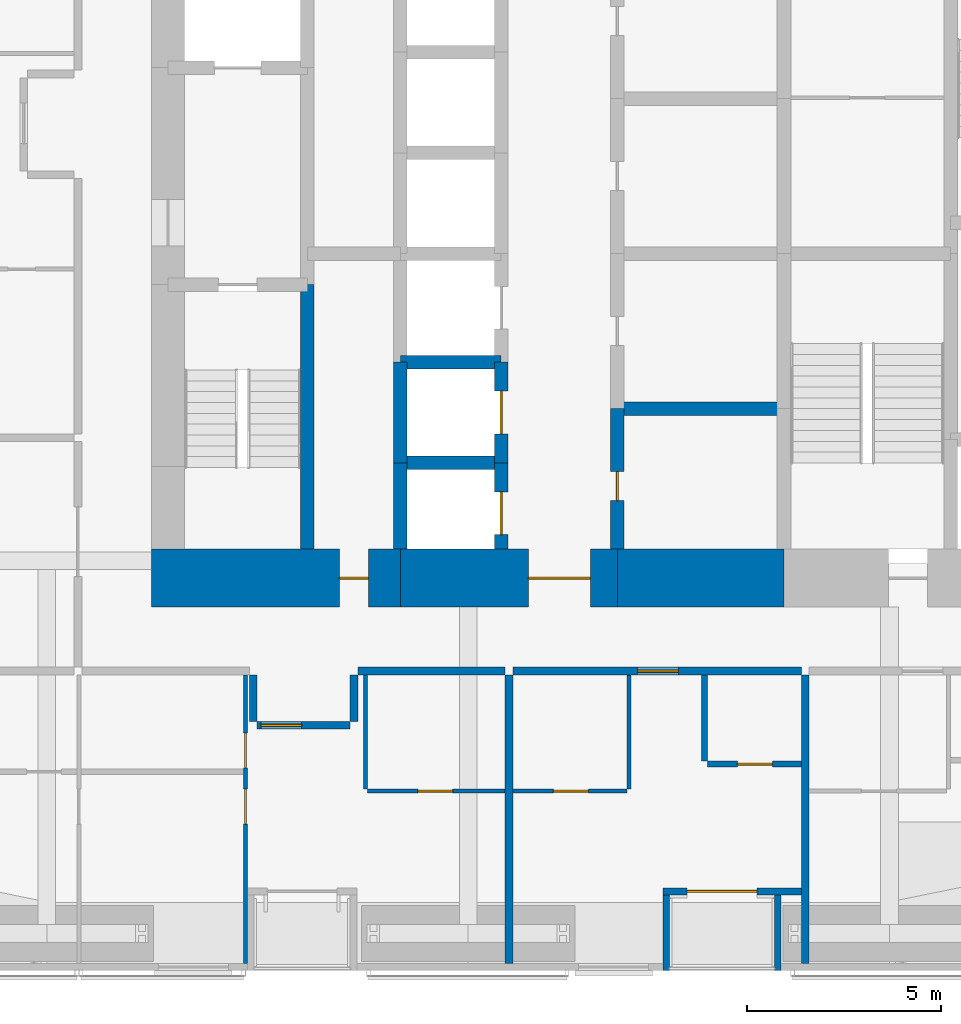
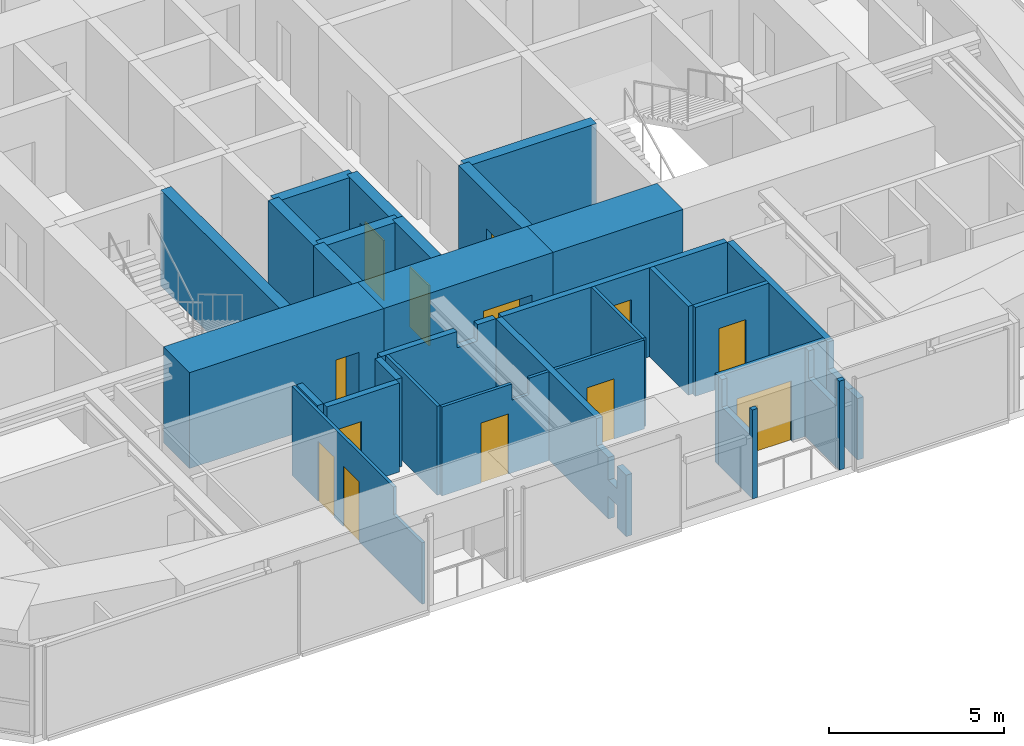
# One storey, part 18 of 25: 29 walls, 13 doors, 13 openings.
"""IFC4 building model written with IfcOpenShell, lengths in metres."""

import ifcopenshell
import ifcopenshell.guid

model = None  # the IFC model being written
_history = None  # IfcOwnerHistory: only IFC2X3 demands one
_inside = {}  # id of a spatial element -> (the spatial element, [elements in it])
_under = {}  # id of a project, library or spatial element -> (it, [spatial elements below it])
_declared = {}  # id of a project -> (the project, [libraries it declares])
_typed = {}  # id of a type object -> (the type object, [elements of that type])
_made_of = {}  # id of a material, layer set ... -> (it, [elements and type objects made of it])


def new_model(schema):
    """Start an empty IFC model of exactly this schema.

    Asked for "IFC4X3", IfcOpenShell would pick the latest addendum, in which some entities
    have other attributes; the version numbers below select the first issue.
    IFC2X3 requires an IfcOwnerHistory on every rooted entity: one is made here for all.
    """
    global model, _history
    if schema == "IFC4X3":
        model = ifcopenshell.file(schema_version=(4, 3, 0, 0))
    else:
        model = ifcopenshell.file(schema=schema)
    _inside.clear()
    _under.clear()
    _declared.clear()
    _typed.clear()
    _made_of.clear()
    _history = None
    if model.schema == "IFC2X3":
        org = make("IfcOrganization", Name="unknown")
        user = make(
            "IfcPersonAndOrganization",
            ThePerson=make("IfcPerson", FamilyName="unknown"),
            TheOrganization=org,
        )
        app = make(
            "IfcApplication",
            ApplicationDeveloper=org,
            Version="unknown",
            ApplicationFullName="unknown",
            ApplicationIdentifier="unknown",
        )
        _history = make(
            "IfcOwnerHistory",
            OwningUser=user,
            OwningApplication=app,
            ChangeAction="ADDED",
            CreationDate=0,
        )
    return model


def make(cls, **values):
    """One entity of the class cls with the attributes given. An attribute that is None is left unset."""
    return model.create_entity(
        cls, **{name: value for name, value in values.items() if value is not None}
    )


def rooted(cls, **values):
    """An entity with a GlobalId (a new one), such as an element, a storey or a relation."""
    return make(cls, GlobalId=ifcopenshell.guid.new(), OwnerHistory=_history, **values)


def si_unit(unit_type, name, prefix=None):
    """IfcSIUnit, for example si_unit("LENGTHUNIT", "METRE", prefix="MILLI")."""
    return make("IfcSIUnit", UnitType=unit_type, Prefix=prefix, Name=name)


def assignment(units):
    """IfcUnitAssignment: the units of a project."""
    return None if units is None else make("IfcUnitAssignment", Units=units)


def point(xyz):
    """IfcCartesianPoint."""
    return None if xyz is None else make("IfcCartesianPoint", Coordinates=xyz)


def direction(xyz):
    """IfcDirection."""
    return None if xyz is None else make("IfcDirection", DirectionRatios=xyz)


def frame(location, z_axis=None, x_axis=None):
    """IfcAxis2Placement3D, a coordinate frame: its origin and axes. An axis left out is left unset."""
    return make(
        "IfcAxis2Placement3D",
        Location=point(location),
        Axis=direction(z_axis),
        RefDirection=direction(x_axis),
    )


def frame_2d(location, x_axis=None):
    """IfcAxis2Placement2D, a coordinate frame in the plane: its origin and x axis."""
    return make(
        "IfcAxis2Placement2D", Location=point(location), RefDirection=direction(x_axis)
    )


def origin():
    """The frame at (0, 0, 0) with its axes left unset."""
    return frame((0.0, 0.0, 0.0))


def place(relative_to, where):
    """IfcLocalPlacement: puts the frame where relative to a parent placement (None: the world)."""
    return make(
        "IfcLocalPlacement", PlacementRelTo=relative_to, RelativePlacement=where
    )


def context(
    kind, dimensions, precision=None, world=None, true_north=None, identifier=None
):
    """IfcGeometricRepresentationContext, for example the 3D "Model" context."""
    return make(
        "IfcGeometricRepresentationContext",
        ContextIdentifier=identifier,
        ContextType=kind,
        CoordinateSpaceDimension=dimensions,
        Precision=precision,
        WorldCoordinateSystem=world,
        TrueNorth=true_north,
    )


def subcontext(parent, identifier, kind, view, scale=None):
    """IfcGeometricRepresentationSubContext, for example "Body" below "Model"."""
    return make(
        "IfcGeometricRepresentationSubContext",
        ContextIdentifier=identifier,
        ContextType=kind,
        ParentContext=parent,
        TargetScale=scale,
        TargetView=view,
    )


def project(units=None, contexts=None):
    """IfcProject with its units and contexts."""
    return rooted(
        "IfcProject",
        Name="project",
        RepresentationContexts=contexts,
        UnitsInContext=assignment(units),
    )


def spatial(cls, under=None, at=None, **own):
    """A site, building, storey or space (cls), placed at a placement, below another one or the project."""
    s = rooted(cls, ObjectPlacement=at, **own)
    if under is not None:
        _under.setdefault(under.id(), (under, []))[1].append(s)
    return s


def polyline(points):
    """IfcPolyline through the points."""
    return make("IfcPolyline", Points=[point(p) for p in points])


def profile(cls, at=None, kind="AREA", **sizes):
    """A parametric profile (cls). Its sizes go by their IFC names, for example OverallWidth=200.0."""
    return make(cls, ProfileType=kind, Position=at, **sizes)


def rectangle(**sizes):
    """IfcRectangleProfileDef."""
    return profile("IfcRectangleProfileDef", **sizes)


def outline(outer, holes=None, kind="AREA"):
    """IfcArbitraryClosedProfileDef: a profile drawn as a closed curve; with holes, ...WithVoids."""
    if holes is None:
        return make("IfcArbitraryClosedProfileDef", ProfileType=kind, OuterCurve=outer)
    return make(
        "IfcArbitraryProfileDefWithVoids",
        ProfileType=kind,
        OuterCurve=outer,
        InnerCurves=holes,
    )


def extrude(swept, where, along, depth):
    """IfcExtrudedAreaSolid: the profile swept, set in the frame where, extruded along a direction by depth."""
    return make(
        "IfcExtrudedAreaSolid",
        SweptArea=swept,
        Position=where,
        ExtrudedDirection=direction(along),
        Depth=depth,
    )


def shape(context_of_items, identifier, shape_type, items):
    """IfcShapeRepresentation: the items that make up one representation, for example the "Body"."""
    return make(
        "IfcShapeRepresentation",
        ContextOfItems=context_of_items,
        RepresentationIdentifier=identifier,
        RepresentationType=shape_type,
        Items=items,
    )


def material(Name=None, Category=None):
    """IfcMaterial."""
    return make("IfcMaterial", Name=Name, Category=Category)


def layer(
    of_material, thickness, ventilated=None, Name=None, Category=None, Priority=None
):
    """IfcMaterialLayer: one layer of a wall or slab, of a material (None: an air gap)."""
    return make(
        "IfcMaterialLayer",
        Material=of_material,
        LayerThickness=thickness,
        IsVentilated=ventilated,
        Name=Name,
        Category=Category,
        Priority=Priority,
    )


def layer_set(layers, Name=None):
    """IfcMaterialLayerSet."""
    return make("IfcMaterialLayerSet", MaterialLayers=layers, LayerSetName=Name)


def constituent(of_material, Name=None, Category=None, fraction=None):
    """IfcMaterialConstituent: one of the materials an element consists of."""
    return make(
        "IfcMaterialConstituent",
        Name=Name,
        Material=of_material,
        Fraction=fraction,
        Category=Category,
    )


def constituent_set(constituents=None, Name=None):
    """IfcMaterialConstituentSet."""
    return make(
        "IfcMaterialConstituentSet", Name=Name, MaterialConstituents=constituents
    )


def made_of(thing, what):
    """Note that an element or type object is made of a material, layer set ...; save() writes the relation."""
    if what is not None:
        _made_of.setdefault(what.id(), (what, []))[1].append(thing)
    return thing


def type_object(cls, material=None, **own):
    """A type object (cls), such as IfcWallType, which elements share."""
    return made_of(rooted(cls, **own), material)


def element(
    cls,
    number,
    at=None,
    inside=None,
    cuts=None,
    type_object=None,
    material=None,
    context=None,
    identifier="Body",
    shape_type=None,
    held_by="IfcProductDefinitionShape",
    body=None,
    shapes=None,
    **own,
):
    """One element of the class cls, such as IfcWall. Its Tag is "e" and its number.

    at: its placement. inside: the storey or other place that contains it. cuts: it is an
    opening in that element (IfcRelVoidsElement). A single representation is given by context,
    identifier, shape_type and body (its items); several are given by shapes. held_by: the class
    of the entity that holds the representations. save() writes the other relations.
    """
    e = rooted(cls, Tag="e%d" % number, ObjectPlacement=at, **own)
    if body is not None:
        shapes = [shape(context, identifier, shape_type, body)]
    if shapes is not None:
        e.Representation = make(held_by, Representations=shapes)
    if inside is not None:
        _inside.setdefault(inside.id(), (inside, []))[1].append(e)
    if cuts is not None:
        rooted(
            "IfcRelVoidsElement", RelatingBuildingElement=cuts, RelatedOpeningElement=e
        )
    if type_object is not None:
        _typed.setdefault(type_object.id(), (type_object, []))[1].append(e)
    return made_of(e, material)


def fill(opening, filler):
    """IfcRelFillsElement: the door or window that sits in an opening."""
    return rooted(
        "IfcRelFillsElement",
        RelatingOpeningElement=opening,
        RelatedBuildingElement=filler,
    )


def aggregate(whole, parts):
    """IfcRelAggregates: a whole, such as a stair, and the parts it consists of."""
    return rooted("IfcRelAggregates", RelatingObject=whole, RelatedObjects=parts)


def save(model, path):
    """Write the relations noted so far, then the file.

    IfcRelAggregates (storeys below a building ...), IfcRelContainedInSpatialStructure (elements
    in a storey), IfcRelDefinesByType, IfcRelAssociatesMaterial and IfcRelDeclares: one each for
    every whole, place, type object, material and project.
    """
    for whole, parts in _under.values():
        aggregate(whole, parts)
    for where, things in _inside.values():
        rooted(
            "IfcRelContainedInSpatialStructure",
            RelatedElements=things,
            RelatingStructure=where,
        )
    for kind, things in _typed.values():
        rooted("IfcRelDefinesByType", RelatedObjects=things, RelatingType=kind)
    for what, things in _made_of.values():
        rooted("IfcRelAssociatesMaterial", RelatedObjects=things, RelatingMaterial=what)
    for by, libraries in _declared.values():
        rooted("IfcRelDeclares", RelatingContext=by, RelatedDefinitions=libraries)
    model.write(path)


model = new_model("IFC4")

# Units and contexts
model_context = context("Model", 3, precision=1e-05, world=origin(), true_north=direction((0.0, 1.0)))
body_context = subcontext(model_context, "Body", "Model", "MODEL_VIEW")
ifc_project = project(units=[si_unit("LENGTHUNIT", "METRE"), si_unit("AREAUNIT", "SQUARE_METRE"), si_unit("VOLUMEUNIT", "CUBIC_METRE"), si_unit("PLANEANGLEUNIT", "RADIAN"), si_unit("MASSUNIT", "GRAM", prefix="KILO")], contexts=[model_context])

# Site, building, storey
site_placement = place(None, origin())
site = spatial("IfcSite", under=ifc_project, at=site_placement, CompositionType="ELEMENT")
building_placement = place(site_placement, origin())
building = spatial("IfcBuilding", under=site, at=building_placement, Name="Jalousie Tower", CompositionType="ELEMENT")
storey_placement = place(building_placement, frame((0.0, 0.0, 98.14990234375)))
storey = spatial("IfcBuildingStorey", under=building, at=storey_placement, Name="L26", CompositionType="ELEMENT", Elevation=98.14990234375)

# Wall, opening, door
ifc_material_1 = material(Name="Concrete block ASTM C90", Category="concrete")
ifc_constituent_1 = constituent(ifc_material_1, Name="Body")
ifc_material_2 = material(Name="Render")
ifc_constituent_2 = constituent(ifc_material_2, Name="Finish")
ifc_constituent_set_1 = constituent_set(constituents=[ifc_constituent_1, ifc_constituent_2])
wall_type_1 = type_object("IfcWallType", Name="BATHROOM WALL 150", PredefinedType="PLUMBINGWALL", material=ifc_constituent_set_1)
wall_1_placement = place(storey_placement, frame((33.925048828125, 5.324951171875, 0.0), z_axis=(0.0, 0.0, 1.0), x_axis=(1.0, 0.0, 0.0)))
wall_1 = element("IfcWall", 1, at=wall_1_placement, inside=storey, type_object=wall_type_1, Name="Bathroom Wall 150 L26", PredefinedType="PLUMBINGWALL", context=body_context, shape_type="SweptSolid", body=[
    extrude(rectangle(XDim=2.425048828125, YDim=0.14990234375, at=frame_2d((1.21240234375, 0.0))), origin(), (0.0, 0.0, 1.0), 3.110107421875),
])
opening_1_placement = place(wall_1_placement, frame((0.77490234375, 0.0, 0.0)))
opening_1 = element("IfcOpeningElement", 2, at=opening_1_placement, cuts=wall_1, Name="Opening D3", PredefinedType="OPENING", context=body_context, shape_type="SweptSolid", body=[
    extrude(rectangle(XDim=0.89990234375, YDim=2.10009765625, at=frame_2d((0.449951171875, 1.050048828125))), frame((0.0, 0.0849609375, 0.0), z_axis=(0.0, -1.0, 0.0), x_axis=(1.0, 0.0, 0.0)), (0.0, 0.0, 1.0), 0.169921875),
])
ifc_material_3 = material(Name="Timber door", Category="wood")
door_type_1 = type_object("IfcDoorType", Name="BATHROOM DOOR 900", OperationType="SINGLE_SWING_LEFT", PredefinedType="DOOR", material=ifc_material_3)
door_1_placement = place(opening_1_placement, origin())
door_1 = element("IfcDoor", 3, at=door_1_placement, inside=storey, type_object=door_type_1, Name="Apartment 2602 bathroom door", OperationType="SINGLE_SWING_RIGHT", OverallHeight=2.10009765625, OverallWidth=0.89990234375, PredefinedType="DOOR", context=body_context, shape_type="SweptSolid", body=[
    extrude(rectangle(XDim=0.89990234375, YDim=2.10009765625, at=frame_2d((0.449951171875, 1.050048828125))), frame((0.0, 0.02490234375, 0.0), z_axis=(0.0, -1.0, 0.0), x_axis=(1.0, 0.0, 0.0)), (0.0, 0.0, 1.0), 0.050048828125),
])
fill(opening_1, door_1)

# Wall
wall_2_placement = place(storey_placement, frame((33.85009765625, 5.39990234375, 0.0), z_axis=(0.0, 0.0, 1.0), x_axis=(0.0, 1.0, 0.0)))
element("IfcWall", 4, at=wall_2_placement, inside=storey, type_object=wall_type_1, Name="Bathroom Wall 150 L26", PredefinedType="PLUMBINGWALL", context=body_context, shape_type="SweptSolid", body=[
    extrude(rectangle(XDim=2.22509765625, YDim=0.14990234375, at=frame_2d((1.112548828125, 0.0))), origin(), (0.0, 0.0, 1.0), 3.110107421875),
])

# Wall, opening, door
ifc_material_4 = material(Name="Concrete f'c 120 MPa", Category="concrete")
ifc_layer_1 = layer(ifc_material_4, 1.5)
ifc_layer_set_1 = layer_set([ifc_layer_1], Name="Concrete f'c 120 MPa")
wall_type_2 = type_object("IfcWallType", Name="CORE WALL 1500", PredefinedType="SHEAR", material=ifc_layer_set_1)
wall_3_placement = place(storey_placement, frame((19.574951171875, 10.125, 0.0), z_axis=(0.0, 0.0, 1.0), x_axis=(1.0, 0.0, 0.0)))
wall_3 = element("IfcWall", 5, at=wall_3_placement, inside=storey, type_object=wall_type_2, Name="Core wall SA L26", PredefinedType="SHEAR", context=body_context, shape_type="SweptSolid", body=[
    extrude(rectangle(XDim=6.425048828125, YDim=1.5, at=frame_2d((3.21240234375, 0.0))), origin(), (0.0, 0.0, 1.0), 3.35009765625),
])
opening_2_placement = place(wall_3_placement, frame((4.85009765625, 0.0, 0.0)))
opening_2 = element("IfcOpeningElement", 6, at=opening_2_placement, cuts=wall_3, Name="Opening D16", PredefinedType="OPENING", context=body_context, shape_type="SweptSolid", body=[
    extrude(rectangle(XDim=0.75, YDim=2.10009765625, at=frame_2d((0.375, 1.050048828125))), frame((0.0, 0.760009765625, 0.0), z_axis=(0.0, -1.0, 0.0), x_axis=(1.0, 0.0, 0.0)), (0.0, 0.0, 1.0), 1.52001953125),
])
ifc_material_5 = material(Name="Steel fire door", Category="steel")
door_type_2 = type_object("IfcDoorType", Name="RISER DOOR 750", OperationType="SINGLE_SWING_LEFT", PredefinedType="DOOR", material=ifc_material_5)
door_2_placement = place(opening_2_placement, origin())
door_2 = element("IfcDoor", 7, at=door_2_placement, inside=storey, type_object=door_type_2, Name="South riser door", OperationType="SINGLE_SWING_LEFT", OverallHeight=2.10009765625, OverallWidth=0.75, PredefinedType="DOOR", context=body_context, shape_type="SweptSolid", body=[
    extrude(rectangle(XDim=0.75, YDim=2.10009765625, at=frame_2d((0.375, 1.050048828125))), frame((0.0, 0.02490234375, 0.0), z_axis=(0.0, -1.0, 0.0), x_axis=(1.0, 0.0, 0.0)), (0.0, 0.0, 1.0), 0.050048828125),
])
fill(opening_2, door_2)

wall_4_placement = place(storey_placement, frame((26.0, 10.125, 0.0), z_axis=(0.0, 0.0, 1.0), x_axis=(1.0, 0.0, 0.0)))
wall_4 = element("IfcWall", 8, at=wall_4_placement, inside=storey, type_object=wall_type_2, Name="Core wall SB L26", PredefinedType="SHEAR", context=body_context, shape_type="SweptSolid", body=[
    extrude(rectangle(XDim=5.60009765625, YDim=1.5, at=frame_2d((2.800048828125, 0.0))), origin(), (0.0, 0.0, 1.0), 3.35009765625),
])
opening_3_placement = place(wall_4_placement, frame((3.300048828125, 0.0, 0.0)))
opening_3 = element("IfcOpeningElement", 9, at=opening_3_placement, cuts=wall_4, Name="Opening D15", PredefinedType="OPENING", context=body_context, shape_type="SweptSolid", body=[
    extrude(rectangle(XDim=1.60009765625, YDim=2.10009765625, at=frame_2d((0.800048828125, 1.050048828125))), frame((0.0, 0.760009765625, 0.0), z_axis=(0.0, -1.0, 0.0), x_axis=(1.0, 0.0, 0.0)), (0.0, 0.0, 1.0), 1.52001953125),
])
ifc_material_6 = material(Name="Steel fire door", Category="steel")
door_type_3 = type_object("IfcDoorType", Name="LIFT LOBBY DOOR 1600", OperationType="DOUBLE_DOOR_SINGLE_SWING", PredefinedType="DOOR", material=ifc_material_6)
door_3_placement = place(opening_3_placement, origin())
door_3 = element("IfcDoor", 10, at=door_3_placement, inside=storey, type_object=door_type_3, Name="Lift lobby south door", OperationType="DOUBLE_DOOR_SINGLE_SWING", OverallHeight=2.10009765625, OverallWidth=1.60009765625, PredefinedType="DOOR", context=body_context, shape_type="SweptSolid", body=[
    extrude(rectangle(XDim=1.60009765625, YDim=2.10009765625, at=frame_2d((0.800048828125, 1.050048828125))), frame((0.0, 0.02490234375, 0.0), z_axis=(0.0, -1.0, 0.0), x_axis=(1.0, 0.0, 0.0)), (0.0, 0.0, 1.0), 0.050048828125),
])
fill(opening_3, door_3)

# Walls
wall_5_placement = place(storey_placement, frame((31.60009765625, 10.125, 0.0), z_axis=(0.0, 0.0, 1.0), x_axis=(1.0, 0.0, 0.0)))
element("IfcWall", 11, at=wall_5_placement, inside=storey, type_object=wall_type_2, Name="Core wall SC L26", PredefinedType="SHEAR", context=body_context, shape_type="SweptSolid", body=[
    extrude(rectangle(XDim=4.2998046875, YDim=1.5, at=frame_2d((2.14990234375, 0.0))), origin(), (0.0, 0.0, 1.0), 3.35009765625),
])
ifc_material_7 = material(Name="Concrete f'c 120 MPa", Category="concrete")
ifc_layer_2 = layer(ifc_material_7, 0.35009765625)
ifc_layer_set_2 = layer_set([ifc_layer_2], Name="Concrete f'c 120 MPa")
wall_type_3 = type_object("IfcWallType", Name="CORE WALL 350", PredefinedType="SHEAR", material=ifc_layer_set_2)
wall_6_placement = place(storey_placement, frame((23.60009765625, 10.875, 0.0), z_axis=(0.0, 0.0, 1.0), x_axis=(0.0, 1.0, 0.0)))
element("IfcWall", 12, at=wall_6_placement, inside=storey, type_object=wall_type_3, Name="Core wall X23.6A L26", PredefinedType="SHEAR", context=body_context, shape_type="SweptSolid", body=[
    extrude(rectangle(XDim=6.824951171875, YDim=0.35009765625, at=frame_2d((3.41259765625, 0.0))), origin(), (0.0, 0.0, 1.0), 3.35009765625),
])
wall_7_placement = place(storey_placement, frame((26.0, 10.875, 0.0), z_axis=(0.0, 0.0, 1.0), x_axis=(0.0, 1.0, 0.0)))
element("IfcWall", 13, at=wall_7_placement, inside=storey, type_object=wall_type_3, Name="Core wall X26A L26", PredefinedType="SHEAR", context=body_context, shape_type="SweptSolid", body=[
    extrude(rectangle(XDim=2.22509765625, YDim=0.35009765625, at=frame_2d((1.112548828125, 0.0))), origin(), (0.0, 0.0, 1.0), 3.35009765625),
])
wall_8_placement = place(storey_placement, frame((26.0, 13.10009765625, 0.0), z_axis=(0.0, 0.0, 1.0), x_axis=(0.0, 1.0, 0.0)))
element("IfcWall", 14, at=wall_8_placement, inside=storey, type_object=wall_type_3, Name="Core wall X26B L26", PredefinedType="SHEAR", context=body_context, shape_type="SweptSolid", body=[
    extrude(rectangle(XDim=2.599853515625, YDim=0.35009765625, at=frame_2d((1.2998046875, 0.0))), origin(), (0.0, 0.0, 1.0), 3.35009765625),
])

# Wall, opening, door
wall_9_placement = place(storey_placement, frame((28.60009765625, 10.875, 0.0), z_axis=(0.0, 0.0, 1.0), x_axis=(0.0, 1.0, 0.0)))
wall_9 = element("IfcWall", 15, at=wall_9_placement, inside=storey, type_object=wall_type_3, Name="Core wall X28.6A L26", PredefinedType="SHEAR", context=body_context, shape_type="SweptSolid", body=[
    extrude(rectangle(XDim=2.22509765625, YDim=0.35009765625, at=frame_2d((1.112548828125, 0.0))), origin(), (0.0, 0.0, 1.0), 3.35009765625),
])
opening_4_placement = place(wall_9_placement, frame((0.375, 0.0, 0.0)))
opening_4 = element("IfcOpeningElement", 16, at=opening_4_placement, cuts=wall_9, Name="Opening LD1", PredefinedType="OPENING", context=body_context, shape_type="SweptSolid", body=[
    extrude(rectangle(XDim=1.10009765625, YDim=2.10009765625, at=frame_2d((0.550048828125, 1.050048828125))), frame((0.0, 0.18505859375, 0.0), z_axis=(0.0, -1.0, 0.0), x_axis=(1.0, 0.0, 0.0)), (0.0, 0.0, 1.0), 0.3701171875),
])
ifc_material_8 = material(Name="Steel lift landing door", Category="steel")
door_type_4 = type_object("IfcDoorType", Name="LIFT LANDING DOOR 1100", OperationType="SLIDING_TO_LEFT", PredefinedType="DOOR", material=ifc_material_8)
door_4_placement = place(opening_4_placement, origin())
door_4 = element("IfcDoor", 17, at=door_4_placement, inside=storey, type_object=door_type_4, Name="Lift P1 landing door", OperationType="SLIDING_TO_LEFT", OverallHeight=2.10009765625, OverallWidth=1.10009765625, PredefinedType="DOOR", context=body_context, shape_type="SweptSolid", body=[
    extrude(rectangle(XDim=1.10009765625, YDim=2.10009765625, at=frame_2d((0.550048828125, 1.050048828125))), frame((0.0, 0.02490234375, 0.0), z_axis=(0.0, -1.0, 0.0), x_axis=(1.0, 0.0, 0.0)), (0.0, 0.0, 1.0), 0.050048828125),
])
fill(opening_4, door_4)

wall_10_placement = place(storey_placement, frame((28.60009765625, 13.10009765625, 0.0), z_axis=(0.0, 0.0, 1.0), x_axis=(0.0, 1.0, 0.0)))
wall_10 = element("IfcWall", 18, at=wall_10_placement, inside=storey, type_object=wall_type_3, Name="Core wall X28.6B L26", PredefinedType="SHEAR", context=body_context, shape_type="SweptSolid", body=[
    extrude(rectangle(XDim=2.599853515625, YDim=0.35009765625, at=frame_2d((1.2998046875, 0.0))), origin(), (0.0, 0.0, 1.0), 3.35009765625),
])
opening_5_placement = place(wall_10_placement, frame((0.75, 0.0, 0.0)))
opening_5 = element("IfcOpeningElement", 19, at=opening_5_placement, cuts=wall_10, Name="Opening LD1", PredefinedType="OPENING", context=body_context, shape_type="SweptSolid", body=[
    extrude(rectangle(XDim=1.10009765625, YDim=2.10009765625, at=frame_2d((0.550048828125, 1.050048828125))), frame((0.0, 0.18505859375, 0.0), z_axis=(0.0, -1.0, 0.0), x_axis=(1.0, 0.0, 0.0)), (0.0, 0.0, 1.0), 0.3701171875),
])
door_5_placement = place(opening_5_placement, origin())
door_5 = element("IfcDoor", 20, at=door_5_placement, inside=storey, type_object=door_type_4, Name="Lift P2 landing door", OperationType="SLIDING_TO_LEFT", OverallHeight=2.10009765625, OverallWidth=1.10009765625, PredefinedType="DOOR", context=body_context, shape_type="SweptSolid", body=[
    extrude(rectangle(XDim=1.10009765625, YDim=2.10009765625, at=frame_2d((0.550048828125, 1.050048828125))), frame((0.0, 0.02490234375, 0.0), z_axis=(0.0, -1.0, 0.0), x_axis=(1.0, 0.0, 0.0)), (0.0, 0.0, 1.0), 0.050048828125),
])
fill(opening_5, door_5)

wall_11_placement = place(storey_placement, frame((31.60009765625, 10.875, 0.0), z_axis=(0.0, 0.0, 1.0), x_axis=(0.0, 1.0, 0.0)))
wall_11 = element("IfcWall", 21, at=wall_11_placement, inside=storey, type_object=wall_type_3, Name="Core wall X31.6A L26", PredefinedType="SHEAR", context=body_context, shape_type="SweptSolid", body=[
    extrude(rectangle(XDim=3.625, YDim=0.35009765625, at=frame_2d((1.8125, 0.0))), origin(), (0.0, 0.0, 1.0), 3.35009765625),
])
opening_6_placement = place(wall_11_placement, frame((1.25, 0.0, 0.0)))
opening_6 = element("IfcOpeningElement", 22, at=opening_6_placement, cuts=wall_11, Name="Opening D16", PredefinedType="OPENING", context=body_context, shape_type="SweptSolid", body=[
    extrude(rectangle(XDim=0.75, YDim=2.10009765625, at=frame_2d((0.375, 1.050048828125))), frame((0.0, 0.18505859375, 0.0), z_axis=(0.0, -1.0, 0.0), x_axis=(1.0, 0.0, 0.0)), (0.0, 0.0, 1.0), 0.3701171875),
])
door_6_placement = place(opening_6_placement, frame((0.75, 0.0, 0.0), z_axis=(0.0, 0.0, 1.0), x_axis=(-1.0, 0.0, 0.0)))
door_6 = element("IfcDoor", 23, at=door_6_placement, inside=storey, type_object=door_type_2, Name="Refuse Room door", OperationType="SINGLE_SWING_RIGHT", OverallHeight=2.10009765625, OverallWidth=0.75, PredefinedType="DOOR", context=body_context, shape_type="SweptSolid", body=[
    extrude(rectangle(XDim=0.75, YDim=2.10009765625, at=frame_2d((0.375, 1.050048828125))), frame((0.0, 0.02490234375, 0.0), z_axis=(0.0, -1.0, 0.0), x_axis=(1.0, 0.0, 0.0)), (0.0, 0.0, 1.0), 0.050048828125),
])
fill(opening_6, door_6)

# Walls
for number, where, z_axis, x_axis, name in (
    (24, (26.0, 13.10009765625, 0.0), (0.0, 0.0, 1.0), (1.0, 0.0, 0.0), "Core wall Y26-13.1 L26"),
    (25, (26.0, 15.699951171875, 0.0), (0.0, 0.0, 1.0), (1.0, 0.0, 0.0), "Core wall Y26-15.7 L26"),
):
    element("IfcWall", number, at=place(storey_placement, frame(where, z_axis=z_axis, x_axis=x_axis)), inside=storey, type_object=wall_type_3, Name=name, PredefinedType="SHEAR", context=body_context, shape_type="SweptSolid", body=[
        extrude(rectangle(XDim=2.60009765625, YDim=0.35009765625, at=frame_2d((1.300048828125, 0.0))), origin(), (0.0, 0.0, 1.0), 3.35009765625),
    ])
wall_12_placement = place(storey_placement, frame((31.60009765625, 14.5, 0.0), z_axis=(0.0, 0.0, 1.0), x_axis=(1.0, 0.0, 0.0)))
element("IfcWall", 26, at=wall_12_placement, inside=storey, type_object=wall_type_3, Name="Core wall Y31.6-14.5 L26", PredefinedType="SHEAR", context=body_context, shape_type="SweptSolid", body=[
    extrude(rectangle(XDim=4.2998046875, YDim=0.35009765625, at=frame_2d((2.14990234375, 0.0))), origin(), (0.0, 0.0, 1.0), 3.35009765625),
])

# Wall, opening, door
ifc_material_9 = material(Name="Concrete block ASTM C90", Category="concrete")
ifc_constituent_3 = constituent(ifc_material_9, Name="Body")
ifc_material_10 = material(Name="Render")
ifc_constituent_4 = constituent(ifc_material_10, Name="Finish")
ifc_constituent_set_2 = constituent_set(constituents=[ifc_constituent_3, ifc_constituent_4])
wall_type_4 = type_object("IfcWallType", Name="CORRIDOR WALL 200", PredefinedType="PARTITIONING", material=ifc_constituent_set_2)
wall_13_placement = place(storey_placement, frame((28.89990234375, 7.72509765625, 0.0), z_axis=(0.0, 0.0, 1.0), x_axis=(1.0, 0.0, 0.0)))
wall_13 = element("IfcWall", 27, at=wall_13_placement, inside=storey, type_object=wall_type_4, Name="Corridor Wall 200 L26", PredefinedType="PARTITIONING", context=body_context, shape_type="SweptSolid", body=[
    extrude(rectangle(XDim=7.4501953125, YDim=0.199951171875, at=frame_2d((3.72509765625, 0.0))), origin(), (0.0, 0.0, 1.0), 3.110107421875),
])
opening_7_placement = place(wall_13_placement, frame((3.22509765625, 0.0, 0.0)))
opening_7 = element("IfcOpeningElement", 28, at=opening_7_placement, cuts=wall_13, Name="Opening D1", PredefinedType="OPENING", context=body_context, shape_type="SweptSolid", body=[
    extrude(rectangle(XDim=1.050048828125, YDim=2.199951171875, at=frame_2d((0.52490234375, 1.10009765625))), frame((0.0, 0.10986328125, 0.0), z_axis=(0.0, -1.0, 0.0), x_axis=(1.0, 0.0, 0.0)), (0.0, 0.0, 1.0), 0.219970703125),
])
ifc_material_11 = material(Name="Timber fire door", Category="wood")
door_type_5 = type_object("IfcDoorType", Name="APARTMENT ENTRANCE DOOR 1050", OperationType="SINGLE_SWING_LEFT", PredefinedType="DOOR", material=ifc_material_11)
door_7_placement = place(opening_7_placement, frame((1.050048828125, 0.0, 0.0), z_axis=(0.0, 0.0, 1.0), x_axis=(-1.0, 0.0, 0.0)))
door_7 = element("IfcDoor", 29, at=door_7_placement, inside=storey, type_object=door_type_5, Name="Apartment 2602 entrance", OperationType="SINGLE_SWING_RIGHT", OverallHeight=2.199951171875, OverallWidth=1.050048828125, PredefinedType="DOOR", context=body_context, shape_type="SweptSolid", body=[
    extrude(rectangle(XDim=1.050048828125, YDim=2.199951171875, at=frame_2d((0.52490234375, 1.10009765625))), frame((0.0, 0.02490234375, 0.0), z_axis=(0.0, -1.0, 0.0), x_axis=(1.0, 0.0, 0.0)), (0.0, 0.0, 1.0), 0.050048828125),
])
fill(opening_7, door_7)

# Wall
wall_14_placement = place(storey_placement, frame((24.89990234375, 7.72509765625, 0.0), z_axis=(0.0, 0.0, 1.0), x_axis=(1.0, 0.0, 0.0)))
element("IfcWall", 30, at=wall_14_placement, inside=storey, type_object=wall_type_4, Name="Corridor Wall 200 L26", PredefinedType="PARTITIONING", context=body_context, shape_type="SweptSolid", body=[
    extrude(outline(polyline([(0.0, 0.0), (3.800048828125, 0.0), (3.800048828125, 3.110107421875), (3.187255859375, 3.110107421875), (3.187255859375, 2.541015625), (2.5126953125, 2.541015625), (2.5126953125, 3.110107421875), (0.0, 3.110107421875), (0.0, 0.0)])), frame((0.0, 0.10009765625, 0.0), z_axis=(0.0, -1.0, 0.0), x_axis=(1.0, 0.0, 0.0)), (0.0, 0.0, 1.0), 0.199951171875),
])

# Wall, opening, door
wall_15_placement = place(storey_placement, frame((22.300048828125, 6.324951171875, 0.0), z_axis=(0.0, 0.0, 1.0), x_axis=(1.0, 0.0, 0.0)))
wall_15 = element("IfcWall", 31, at=wall_15_placement, inside=storey, type_object=wall_type_4, Name="Corridor Wall 200 L26", PredefinedType="PARTITIONING", context=body_context, shape_type="SweptSolid", body=[
    extrude(rectangle(XDim=2.39990234375, YDim=0.199951171875, at=frame_2d((1.199951171875, 0.0))), origin(), (0.0, 0.0, 1.0), 3.110107421875),
])
opening_8_placement = place(wall_15_placement, frame((0.10009765625, 0.0, 0.0)))
opening_8 = element("IfcOpeningElement", 32, at=opening_8_placement, cuts=wall_15, Name="Opening D1", PredefinedType="OPENING", context=body_context, shape_type="SweptSolid", body=[
    extrude(rectangle(XDim=1.050048828125, YDim=2.199951171875, at=frame_2d((0.52490234375, 1.10009765625))), frame((0.0, 0.10986328125, 0.0), z_axis=(0.0, -1.0, 0.0), x_axis=(1.0, 0.0, 0.0)), (0.0, 0.0, 1.0), 0.219970703125),
])
door_8_placement = place(opening_8_placement, frame((1.050048828125, 0.0, 0.0), z_axis=(0.0, 0.0, 1.0), x_axis=(-1.0, 0.0, 0.0)))
door_8 = element("IfcDoor", 33, at=door_8_placement, inside=storey, type_object=door_type_5, Name="Apartment 2601 entrance", OperationType="SINGLE_SWING_RIGHT", OverallHeight=2.199951171875, OverallWidth=1.050048828125, PredefinedType="DOOR", context=body_context, shape_type="SweptSolid", body=[
    extrude(rectangle(XDim=1.050048828125, YDim=2.199951171875, at=frame_2d((0.52490234375, 1.10009765625))), frame((0.0, 0.02490234375, 0.0), z_axis=(0.0, -1.0, 0.0), x_axis=(1.0, 0.0, 0.0)), (0.0, 0.0, 1.0), 0.050048828125),
])
fill(opening_8, door_8)

# Walls
for number, where, z_axis, x_axis, name in (
    (34, (22.199951171875, 7.625, 0.0), (0.0, 0.0, 1.0), (0.0, -1.0, 0.0), "Corridor Wall 200 L26"),
    (35, (24.800048828125, 7.625, 0.0), (0.0, 0.0, 1.0), (0.0, -1.0, 0.0), "Corridor Wall 200 L26"),
):
    element("IfcWall", number, at=place(storey_placement, frame(where, z_axis=z_axis, x_axis=x_axis)), inside=storey, type_object=wall_type_4, Name=name, PredefinedType="PARTITIONING", context=body_context, shape_type="SweptSolid", body=[
        extrude(rectangle(XDim=1.199951171875, YDim=0.199951171875, at=frame_2d((0.60009765625, 0.0))), origin(), (0.0, 0.0, 1.0), 3.110107421875),
    ])

# Wall, opening, door
ifc_material_12 = material(Name="Concrete f'c 40 MPa", Category="concrete")
ifc_constituent_5 = constituent(ifc_material_12, Name="Body")
ifc_material_13 = material(Name="Render, pastel sea green")
ifc_constituent_6 = constituent(ifc_material_13, Name="Finish")
ifc_constituent_set_3 = constituent_set(constituents=[ifc_constituent_5, ifc_constituent_6])
wall_type_5 = type_object("IfcWallType", Name="EXTERNAL WALL 175 SEA GREEN RENDER", PredefinedType="SOLIDWALL", material=ifc_constituent_set_3)
wall_16_placement = place(storey_placement, frame((32.77490234375, 2.03759765625, 0.0), z_axis=(0.0, 0.0, 1.0), x_axis=(1.0, 0.0, 0.0)))
wall_16 = element("IfcWall", 36, at=wall_16_placement, inside=storey, type_object=wall_type_5, Name="External Wall 175 Sea Green Render L26", PredefinedType="SOLIDWALL", context=body_context, shape_type="SweptSolid", body=[
    extrude(rectangle(XDim=3.5751953125, YDim=0.175048828125, at=frame_2d((1.78759765625, 0.0))), origin(), (0.0, 0.0, 1.0), 3.110107421875),
])
opening_9_placement = place(wall_16_placement, frame((0.625, 0.0, 0.0)))
opening_9 = element("IfcOpeningElement", 37, at=opening_9_placement, cuts=wall_16, Name="Opening D-BAL21", PredefinedType="OPENING", context=body_context, shape_type="SweptSolid", body=[
    extrude(rectangle(XDim=1.800048828125, YDim=2.10009765625, at=frame_2d((0.89990234375, 1.050048828125))), frame((0.0, 0.097412109375, 0.0), z_axis=(0.0, -1.0, 0.0), x_axis=(1.0, 0.0, 0.0)), (0.0, 0.0, 1.0), 0.195068359375),
])
ifc_material_14 = material(Name="Aluminium frame, impact-rated glazing", Category="aluminium")
door_type_6 = type_object("IfcDoorType", Name="BALCONY DOOR 1800x2100", OperationType="SLIDING_TO_LEFT", PredefinedType="DOOR", material=ifc_material_14)
door_9_placement = place(opening_9_placement, origin())
door_9 = element("IfcDoor", 38, at=door_9_placement, inside=storey, type_object=door_type_6, Name="Apartment 2602 studio living and sleeping room loggia door", OperationType="SLIDING_TO_LEFT", OverallHeight=2.10009765625, OverallWidth=1.800048828125, PredefinedType="DOOR", context=body_context, shape_type="SweptSolid", body=[
    extrude(rectangle(XDim=1.800048828125, YDim=2.10009765625, at=frame_2d((0.89990234375, 1.050048828125))), frame((0.0, 0.02490234375, 0.0), z_axis=(0.0, -1.0, 0.0), x_axis=(1.0, 0.0, 0.0)), (0.0, 0.0, 1.0), 0.050048828125),
])
fill(opening_9, door_9)

# Walls
for number, where, z_axis, x_axis, name in (
    (39, (32.862548828125, 0.0, 0.0), (0.0, 0.0, 1.0), (0.0, 1.0, 0.0), "External Wall 175 Sea Green Render L26"),
    (40, (35.737548828125, 0.0, 0.0), (0.0, 0.0, 1.0), (0.0, 1.0, 0.0), "External Wall 175 Sea Green Render L26"),
):
    element("IfcWall", number, at=place(storey_placement, frame(where, z_axis=z_axis, x_axis=x_axis)), inside=storey, type_object=wall_type_5, Name=name, PredefinedType="SOLIDWALL", context=body_context, shape_type="SweptSolid", body=[
        extrude(outline(polyline([(0.0, 0.0), (1.949951171875, 0.0), (1.949951171875, 3.110107421875), (1.75, 3.110107421875), (1.75, 2.150146484375), (0.14990234375, 2.150146484375), (0.14990234375, 3.110107421875), (0.0, 3.110107421875), (0.0, 0.0)])), frame((0.0, 0.08740234375, 0.0), z_axis=(0.0, -1.0, 0.0), x_axis=(1.0, 0.0, 0.0)), (0.0, 0.0, 1.0), 0.175048828125),
    ])

# Wall, openings, doors
ifc_material_15 = material(Name="Gypsum board", Category="gypsum")
ifc_constituent_7 = constituent(ifc_material_15, Name="Body")
ifc_material_16 = material(Name="Light-gauge steel studs ASTM A653 SS Grade 33", Category="steel")
ifc_constituent_8 = constituent(ifc_material_16, Name="Framing")
ifc_constituent_set_4 = constituent_set(constituents=[ifc_constituent_7, ifc_constituent_8])
wall_type_6 = type_object("IfcWallType", Name="PARTITION 100", PredefinedType="PARTITIONING", material=ifc_constituent_set_4)
wall_17_placement = place(storey_placement, frame((22.0, 0.175048828125, 0.0), z_axis=(0.0, 0.0, 1.0), x_axis=(0.0, 1.0, 0.0)))
wall_17 = element("IfcWall", 41, at=wall_17_placement, inside=storey, type_object=wall_type_6, Name="Partition 100 L26", PredefinedType="PARTITIONING", context=body_context, shape_type="SweptSolid", body=[
    extrude(outline(polyline([(0.0, 0.0), (7.449951171875, 0.0), (7.449951171875, 3.110107421875), (1.635009765625, 3.110107421875), (1.635009765625, 2.150146484375), (0.0, 2.150146484375), (0.0, 3.110107421875), (0.0, 0.0)])), frame((0.0, 0.050048828125, 0.0), z_axis=(0.0, -1.0, 0.0), x_axis=(1.0, 0.0, 0.0)), (0.0, 0.0, 1.0), 0.10009765625),
])
opening_10_placement = place(wall_17_placement, frame((3.60009765625, 0.0, 0.0)))
opening_10 = element("IfcOpeningElement", 42, at=opening_10_placement, cuts=wall_17, Name="Opening D2", PredefinedType="OPENING", context=body_context, shape_type="SweptSolid", body=[
    extrude(rectangle(XDim=0.89990234375, YDim=2.10009765625, at=frame_2d((0.449951171875, 1.050048828125))), frame((0.0, 0.06005859375, 0.0), z_axis=(0.0, -1.0, 0.0), x_axis=(1.0, 0.0, 0.0)), (0.0, 0.0, 1.0), 0.1201171875),
])
opening_11_placement = place(wall_17_placement, frame((5.050048828125, 0.0, 0.0)))
opening_11 = element("IfcOpeningElement", 43, at=opening_11_placement, cuts=wall_17, Name="Opening D7", PredefinedType="OPENING", context=body_context, shape_type="SweptSolid", body=[
    extrude(rectangle(XDim=0.89990234375, YDim=2.10009765625, at=frame_2d((0.449951171875, 1.050048828125))), frame((0.0, 0.06005859375, 0.0), z_axis=(0.0, -1.0, 0.0), x_axis=(1.0, 0.0, 0.0)), (0.0, 0.0, 1.0), 0.1201171875),
])
ifc_material_17 = material(Name="Timber door", Category="wood")
door_type_7 = type_object("IfcDoorType", Name="BEDROOM DOOR 900", OperationType="SINGLE_SWING_LEFT", PredefinedType="DOOR", material=ifc_material_17)
door_10_placement = place(opening_10_placement, origin())
door_10 = element("IfcDoor", 44, at=door_10_placement, inside=storey, type_object=door_type_7, Name="Apartment 2601 bedroom 3 door", OperationType="SINGLE_SWING_RIGHT", OverallHeight=2.10009765625, OverallWidth=0.89990234375, PredefinedType="DOOR", context=body_context, shape_type="SweptSolid", body=[
    extrude(rectangle(XDim=0.89990234375, YDim=2.10009765625, at=frame_2d((0.449951171875, 1.050048828125))), frame((0.0, 0.02490234375, 0.0), z_axis=(0.0, -1.0, 0.0), x_axis=(1.0, 0.0, 0.0)), (0.0, 0.0, 1.0), 0.050048828125),
])
fill(opening_10, door_10)
ifc_material_18 = material(Name="Timber door", Category="wood")
door_type_8 = type_object("IfcDoorType", Name="INTERNAL DOOR 900", OperationType="SINGLE_SWING_LEFT", PredefinedType="DOOR", material=ifc_material_18)
door_11_placement = place(opening_11_placement, origin())
door_11 = element("IfcDoor", 45, at=door_11_placement, inside=storey, type_object=door_type_8, Name="Apartment 2601 bathroom door", OperationType="SINGLE_SWING_LEFT", OverallHeight=2.10009765625, OverallWidth=0.89990234375, PredefinedType="DOOR", context=body_context, shape_type="SweptSolid", body=[
    extrude(rectangle(XDim=0.89990234375, YDim=2.10009765625, at=frame_2d((0.449951171875, 1.050048828125))), frame((0.0, 0.02490234375, 0.0), z_axis=(0.0, -1.0, 0.0), x_axis=(1.0, 0.0, 0.0)), (0.0, 0.0, 1.0), 0.050048828125),
])
fill(opening_11, door_11)

# Wall, opening, door
wall_18_placement = place(storey_placement, frame((25.14990234375, 4.625, 0.0), z_axis=(0.0, 0.0, 1.0), x_axis=(1.0, 0.0, 0.0)))
wall_18 = element("IfcWall", 46, at=wall_18_placement, inside=storey, type_object=wall_type_6, Name="Partition 100 L26", PredefinedType="PARTITIONING", context=body_context, shape_type="SweptSolid", body=[
    extrude(outline(polyline([(0.0, 0.0), (3.550048828125, 0.0), (3.550048828125, 3.110107421875), (2.88720703125, 3.110107421875), (2.88720703125, 2.541015625), (2.3125, 2.541015625), (2.3125, 3.110107421875), (0.0, 3.110107421875), (0.0, 0.0)])), frame((0.0, 0.050048828125, 0.0), z_axis=(0.0, -1.0, 0.0), x_axis=(1.0, 0.0, 0.0)), (0.0, 0.0, 1.0), 0.10009765625),
])
opening_12_placement = place(wall_18_placement, frame((1.300048828125, 0.0, 0.0)))
opening_12 = element("IfcOpeningElement", 47, at=opening_12_placement, cuts=wall_18, Name="Opening D7", PredefinedType="OPENING", context=body_context, shape_type="SweptSolid", body=[
    extrude(rectangle(XDim=0.89990234375, YDim=2.10009765625, at=frame_2d((0.449951171875, 1.050048828125))), frame((0.0, 0.06005859375, 0.0), z_axis=(0.0, -1.0, 0.0), x_axis=(1.0, 0.0, 0.0)), (0.0, 0.0, 1.0), 0.1201171875),
])
door_12_placement = place(opening_12_placement, frame((0.89990234375, 0.0, 0.0), z_axis=(0.0, 0.0, 1.0), x_axis=(-1.0, 0.0, 0.0)))
door_12 = element("IfcDoor", 48, at=door_12_placement, inside=storey, type_object=door_type_8, Name="Apartment 2601 kitchen door", OperationType="SINGLE_SWING_LEFT", OverallHeight=2.10009765625, OverallWidth=0.89990234375, PredefinedType="DOOR", context=body_context, shape_type="SweptSolid", body=[
    extrude(rectangle(XDim=0.89990234375, YDim=2.10009765625, at=frame_2d((0.449951171875, 1.050048828125))), frame((0.0, 0.02490234375, 0.0), z_axis=(0.0, -1.0, 0.0), x_axis=(1.0, 0.0, 0.0)), (0.0, 0.0, 1.0), 0.050048828125),
])
fill(opening_12, door_12)

# Wall
wall_19_placement = place(storey_placement, frame((25.10009765625, 4.675048828125, 0.0), z_axis=(0.0, 0.0, 1.0), x_axis=(0.0, 1.0, 0.0)))
element("IfcWall", 49, at=wall_19_placement, inside=storey, type_object=wall_type_6, Name="Partition 100 L26", PredefinedType="PARTITIONING", context=body_context, shape_type="SweptSolid", body=[
    extrude(rectangle(XDim=2.949951171875, YDim=0.10009765625, at=frame_2d((1.47509765625, 0.0))), origin(), (0.0, 0.0, 1.0), 3.110107421875),
])

# Wall, opening, door
wall_20_placement = place(storey_placement, frame((28.89990234375, 4.625, 0.0), z_axis=(0.0, 0.0, 1.0), x_axis=(1.0, 0.0, 0.0)))
wall_20 = element("IfcWall", 50, at=wall_20_placement, inside=storey, type_object=wall_type_6, Name="Partition 100 L26", PredefinedType="PARTITIONING", context=body_context, shape_type="SweptSolid", body=[
    extrude(rectangle(XDim=2.9501953125, YDim=0.10009765625, at=frame_2d((1.47509765625, 0.0))), origin(), (0.0, 0.0, 1.0), 3.110107421875),
])
opening_13_placement = place(wall_20_placement, frame((1.050048828125, 0.0, 0.0)))
opening_13 = element("IfcOpeningElement", 51, at=opening_13_placement, cuts=wall_20, Name="Opening D7", PredefinedType="OPENING", context=body_context, shape_type="SweptSolid", body=[
    extrude(rectangle(XDim=0.89990234375, YDim=2.10009765625, at=frame_2d((0.449951171875, 1.050048828125))), frame((0.0, 0.06005859375, 0.0), z_axis=(0.0, -1.0, 0.0), x_axis=(1.0, 0.0, 0.0)), (0.0, 0.0, 1.0), 0.1201171875),
])
door_13_placement = place(opening_13_placement, origin())
door_13 = element("IfcDoor", 52, at=door_13_placement, inside=storey, type_object=door_type_8, Name="Apartment 2602 kitchen door", OperationType="SINGLE_SWING_RIGHT", OverallHeight=2.10009765625, OverallWidth=0.89990234375, PredefinedType="DOOR", context=body_context, shape_type="SweptSolid", body=[
    extrude(rectangle(XDim=0.89990234375, YDim=2.10009765625, at=frame_2d((0.449951171875, 1.050048828125))), frame((0.0, 0.02490234375, 0.0), z_axis=(0.0, -1.0, 0.0), x_axis=(1.0, 0.0, 0.0)), (0.0, 0.0, 1.0), 0.050048828125),
])
fill(opening_13, door_13)

# Walls
wall_21_placement = place(storey_placement, frame((31.89990234375, 4.675048828125, 0.0), z_axis=(0.0, 0.0, 1.0), x_axis=(0.0, 1.0, 0.0)))
element("IfcWall", 53, at=wall_21_placement, inside=storey, type_object=wall_type_6, Name="Partition 100 L26", PredefinedType="PARTITIONING", context=body_context, shape_type="SweptSolid", body=[
    extrude(rectangle(XDim=2.949951171875, YDim=0.10009765625, at=frame_2d((1.47509765625, 0.0))), origin(), (0.0, 0.0, 1.0), 3.110107421875),
])
ifc_material_19 = material(Name="Concrete block ASTM C90", Category="concrete")
ifc_constituent_9 = constituent(ifc_material_19, Name="Body")
ifc_material_20 = material(Name="Render")
ifc_constituent_10 = constituent(ifc_material_20, Name="Finish")
ifc_constituent_set_5 = constituent_set(constituents=[ifc_constituent_9, ifc_constituent_10])
wall_type_7 = type_object("IfcWallType", Name="PARTY WALL 200", PredefinedType="PARTITIONING", material=ifc_constituent_set_5)
wall_22_placement = place(storey_placement, frame((28.800048828125, 0.175048828125, 0.0), z_axis=(0.0, 0.0, 1.0), x_axis=(0.0, 1.0, 0.0)))
element("IfcWall", 54, at=wall_22_placement, inside=storey, type_object=wall_type_7, Name="Party Wall 200 L26", PredefinedType="PARTITIONING", context=body_context, shape_type="SweptSolid", body=[
    extrude(outline(polyline([(0.52880859375, 2.150146484375), (0.0, 2.150146484375), (0.0, 0.0), (0.52880859375, 0.0), (0.52880859375, 0.786376953125), (1.021240234375, 0.786376953125), (1.021240234375, 0.0), (7.449951171875, 0.0), (7.449951171875, 3.110107421875), (1.68505859375, 3.110107421875), (1.68505859375, 2.150146484375), (1.021240234375, 2.150146484375), (1.021240234375, 1.36376953125), (0.52880859375, 1.36376953125), (0.52880859375, 2.150146484375)])), frame((0.0, 0.10009765625, 0.0), z_axis=(0.0, -1.0, 0.0), x_axis=(1.0, 0.0, 0.0)), (0.0, 0.0, 1.0), 0.199951171875),
])
wall_23_placement = place(storey_placement, frame((36.449951171875, 0.175048828125, 0.0), z_axis=(0.0, 0.0, 1.0), x_axis=(0.0, 1.0, 0.0)))
element("IfcWall", 55, at=wall_23_placement, inside=storey, type_object=wall_type_7, Name="Party Wall 200 L26", PredefinedType="PARTITIONING", context=body_context, shape_type="SweptSolid", body=[
    extrude(outline(polyline([(0.52880859375, 2.150146484375), (0.0, 2.150146484375), (0.0, 0.0), (0.52880859375, 0.0), (0.52880859375, 0.01708984375), (1.021240234375, 0.01708984375), (1.021240234375, 0.0), (7.449951171875, 0.0), (7.449951171875, 3.110107421875), (1.68505859375, 3.110107421875), (1.68505859375, 2.150146484375), (1.021240234375, 2.150146484375), (1.021240234375, 2.133056640625), (0.52880859375, 2.133056640625), (0.52880859375, 2.150146484375)])), frame((0.0, 0.10009765625, 0.0), z_axis=(0.0, -1.0, 0.0), x_axis=(1.0, 0.0, 0.0)), (0.0, 0.0, 1.0), 0.199951171875),
])

save(model, "model.ifc")
